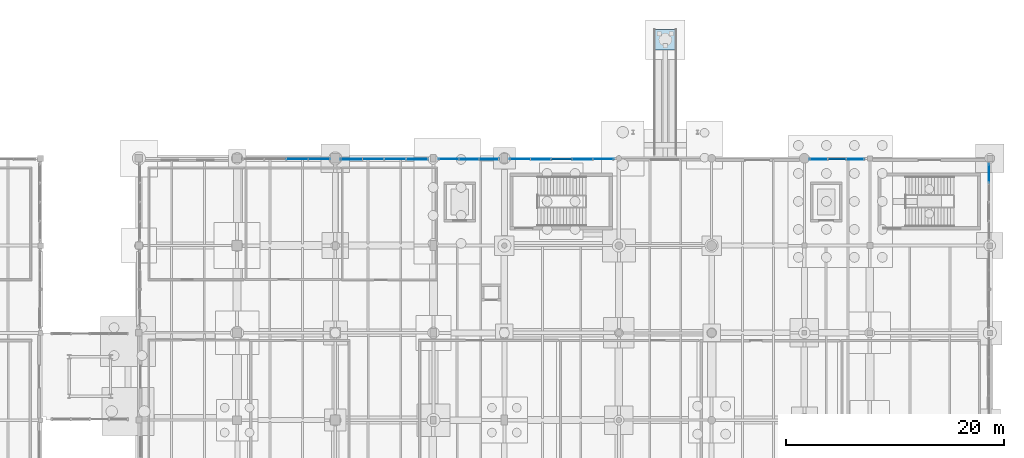
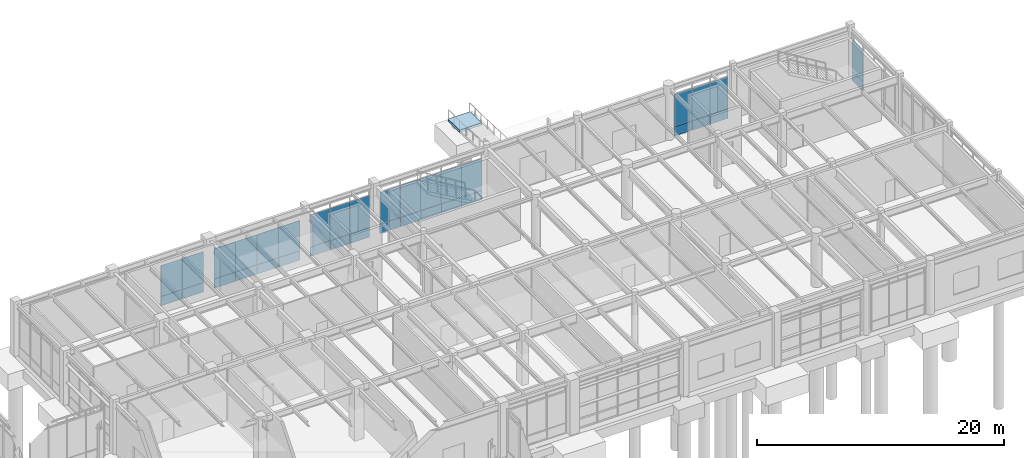
# One storey, part 163 of 203: 36 plates, 1 slab, 7 elements without a shape of their own.
"""IFC4 building model written with IfcOpenShell, lengths in metres."""

from ifc_helpers import new_model, si_unit, direction, frame, origin, origin_2d, place, context, subcontext, project, spatial, polyline, rectangle, outline, extrude, material, layer, layer_set, type_object, element, aggregate, save


model = new_model("IFC4")

# Units and contexts
model_context = context("Model", 3, precision=1e-05, world=origin(), true_north=direction((0.0, 1.0)))
body_context = subcontext(model_context, "Body", "Model", "MODEL_VIEW")
ifc_project = project(units=[si_unit("LENGTHUNIT", "METRE"), si_unit("AREAUNIT", "SQUARE_METRE"), si_unit("VOLUMEUNIT", "CUBIC_METRE"), si_unit("PLANEANGLEUNIT", "RADIAN"), si_unit("MASSUNIT", "GRAM", prefix="KILO"), si_unit("THERMODYNAMICTEMPERATUREUNIT", "KELVIN"), si_unit("POWERUNIT", "WATT")], contexts=[model_context])

# Site, building, storey
site_placement = place(None, origin())
site = spatial("IfcSite", under=ifc_project, at=site_placement, CompositionType="ELEMENT")
building_placement = place(site_placement, origin())
building = spatial("IfcBuilding", under=site, at=building_placement, Name="Tepalcoro Natatorium and Aquatics Centre", CompositionType="ELEMENT")
storey_placement = place(building_placement, origin())
storey = spatial("IfcBuildingStorey", under=building, at=storey_placement, Name="L00", CompositionType="ELEMENT", Elevation=0.0)

# Curtain wall, plates
ifc_material_1 = material(Name="Bronze-Anodised Extruded Aluminium Alloy EN AW-6063 T6", Category="aluminium")
curtain_wall_type_1 = type_object("IfcCurtainWallType", Name="CW_LEAN_T2_NS", PredefinedType="USERDEFINED", material=ifc_material_1)
curtain_wall_1_placement = place(storey_placement, origin())
curtain_wall_1 = element("IfcCurtainWall", 1, at=curtain_wall_1_placement, inside=storey, type_object=curtain_wall_type_1, Name="V5 L00 N Unitised Curtain Wall Bay 3", ObjectType="FACETED SOLAR GLAZING", PredefinedType="USERDEFINED")
ifc_material_2 = material(Name="Solar-Control Bronze Tempered Low-E Double Glazing", Category="glass")
ifc_layer_1 = layer(ifc_material_2, 0.048095703125)
ifc_layer_set_1 = layer_set([ifc_layer_1], Name="Solar-Control Bronze Tempered Low-E Double Glazing")
plate_type_1 = type_object("IfcPlateType", Name="PL_ACOUSTIC_IGU_48", PredefinedType="CURTAIN_PANEL", material=ifc_layer_set_1)
plate_1_placement = place(storey_placement, frame((117.485107421875, 117.923828125, 0.9599609375), z_axis=(0.0, 0.0, 1.0), x_axis=(1.0, 0.0, 0.0)))
plate_1 = element("IfcPlate", 2, at=plate_1_placement, type_object=plate_type_1, Name="CW_LEAN_T2_NS Insulated Glazing Unit", PredefinedType="CURTAIN_PANEL", context=body_context, shape_type="SweptSolid", body=[
    extrude(rectangle(XDim=1.989990234375, YDim=0.048095703125, at=origin_2d()), origin(), (0.0, 0.0, 1.0), 2.97802734375),
])
plate_2_placement = place(storey_placement, frame((123.514892578125, 117.923828125, 0.9599609375), z_axis=(0.0, 0.0, 1.0), x_axis=(1.0, 0.0, 0.0)))
plate_2 = element("IfcPlate", 3, at=plate_2_placement, type_object=plate_type_1, Name="CW_LEAN_T2_NS Insulated Glazing Unit", PredefinedType="CURTAIN_PANEL", context=body_context, shape_type="SweptSolid", body=[
    extrude(rectangle(XDim=1.989990234375, YDim=0.048095703125, at=origin_2d()), origin(), (0.0, 0.0, 1.0), 2.97802734375),
])

# Curtain wall, plate
curtain_wall_type_2 = type_object("IfcCurtainWallType", Name="CW_LEAN_T2_EW", PredefinedType="USERDEFINED", material=ifc_material_1)
curtain_wall_2_placement = place(storey_placement, origin())
curtain_wall_2 = element("IfcCurtainWall", 4, at=curtain_wall_2_placement, inside=storey, type_object=curtain_wall_type_2, Name="V5 L00 N Unitised Curtain Wall Bay 4", ObjectType="FACETED SOLAR GLAZING", PredefinedType="USERDEFINED")
plate_3_placement = place(storey_placement, frame((130.0966796875, 117.919921875, 0.9599609375), z_axis=(0.0, 0.0, 1.0), x_axis=(1.0, 0.0, 0.0)))
plate_3 = element("IfcPlate", 5, at=plate_3_placement, type_object=plate_type_1, Name="CW_LEAN_T2_EW Insulated Glazing Unit", PredefinedType="CURTAIN_PANEL", context=body_context, shape_type="SweptSolid", body=[
    extrude(rectangle(XDim=1.82666015625, YDim=0.048095703125, at=origin_2d()), origin(), (0.0, 0.0, 1.0), 3.177001953125),
])

# Curtain wall, plates
curtain_wall_type_3 = type_object("IfcCurtainWallType", Name="CW_V1_PLINTH", PredefinedType="USERDEFINED", material=ifc_material_1)
curtain_wall_3_placement = place(storey_placement, origin())
curtain_wall_3 = element("IfcCurtainWall", 6, at=curtain_wall_3_placement, inside=storey, type_object=curtain_wall_type_3, Name="V5 L00 N Unitised Curtain Wall Bay 5", ObjectType="UNITISED STOREFRONT", PredefinedType="USERDEFINED")
plate_4_placement = place(storey_placement, frame((134.842041015625, 117.923828125, 0.9599609375), z_axis=(0.0, 0.0, 1.0), x_axis=(1.0, 0.0, 0.0)))
plate_4 = element("IfcPlate", 7, at=plate_4_placement, type_object=plate_type_1, Name="CW_V1_PLINTH Insulated Glazing Unit", PredefinedType="CURTAIN_PANEL", context=body_context, shape_type="SweptSolid", body=[
    extrude(rectangle(XDim=1.887939453125, YDim=0.048095703125, at=origin_2d()), origin(), (0.0, 0.0, 1.0), 3.1298828125),
])
plate_5_placement = place(storey_placement, frame((140.56591796875, 117.923828125, 0.9599609375), z_axis=(0.0, 0.0, 1.0), x_axis=(1.0, 0.0, 0.0)))
plate_5 = element("IfcPlate", 8, at=plate_5_placement, type_object=plate_type_1, Name="CW_V1_PLINTH Insulated Glazing Unit", PredefinedType="CURTAIN_PANEL", context=body_context, shape_type="SweptSolid", body=[
    extrude(rectangle(XDim=1.887939453125, YDim=0.048095703125, at=origin_2d()), origin(), (0.0, 0.0, 1.0), 3.1298828125),
])

# Curtain wall, plate
curtain_wall_type_4 = type_object("IfcCurtainWallType", Name="CW_V4_VILLAGE", PredefinedType="USERDEFINED", material=ifc_material_1)
curtain_wall_4_placement = place(storey_placement, origin())
curtain_wall_4 = element("IfcCurtainWall", 9, at=curtain_wall_4_placement, inside=storey, type_object=curtain_wall_type_4, Name="V5 L00 N Unitised Curtain Wall Bay 8", ObjectType="UNITISED STOREFRONT", PredefinedType="USERDEFINED")
plate_6_placement = place(storey_placement, frame((160.320068359375, 117.923828125, 0.9599609375), z_axis=(0.0, 0.0, 1.0), x_axis=(1.0, 0.0, 0.0)))
plate_6 = element("IfcPlate", 10, at=plate_6_placement, type_object=plate_type_1, Name="CW_V4_VILLAGE Insulated Glazing Unit", PredefinedType="CURTAIN_PANEL", context=body_context, shape_type="SweptSolid", body=[
    extrude(rectangle(XDim=1.659912109375, YDim=0.048095703125, at=origin_2d()), origin(), (0.0, 0.0, 1.0), 3.177001953125),
])

curtain_wall_5_placement = place(storey_placement, origin())
curtain_wall_5 = element("IfcCurtainWall", 11, at=curtain_wall_5_placement, inside=storey, type_object=curtain_wall_type_3, Name="V5 L00 E Unitised Curtain Wall Bay 4", ObjectType="UNITISED STOREFRONT", PredefinedType="USERDEFINED")
plate_7_placement = place(storey_placement, frame((175.909912109375, 116.639892578125, 0.9599609375), z_axis=(0.0, 0.0, 1.0), x_axis=(1.0, 0.0, 0.0)))
plate_7 = element("IfcPlate", 12, at=plate_7_placement, type_object=plate_type_1, Name="CW_V1_PLINTH Insulated Glazing Unit", PredefinedType="CURTAIN_PANEL", context=body_context, shape_type="SweptSolid", body=[
    extrude(rectangle(XDim=0.048095703125, YDim=1.739990234375, at=origin_2d()), origin(), (0.0, 0.0, 1.0), 3.053955078125),
])

curtain_wall_type_5 = type_object("IfcCurtainWallType", Name="CW_LEAN_T1_EW", PredefinedType="USERDEFINED", material=ifc_material_1)
curtain_wall_6_placement = place(storey_placement, origin())
curtain_wall_6 = element("IfcCurtainWall", 13, at=curtain_wall_6_placement, inside=storey, type_object=curtain_wall_type_5, Name="V5 L00 N Unitised Curtain Wall Bay 2", ObjectType="FACETED SOLAR GLAZING", PredefinedType="USERDEFINED")
ifc_layer_2 = layer(ifc_material_2, 0.028076171875)
ifc_layer_set_2 = layer_set([ifc_layer_2], Name="Solar-Control Bronze Tempered Low-E Double Glazing")
plate_type_2 = type_object("IfcPlateType", Name="PL_BRONZE_IGU_28", PredefinedType="CURTAIN_PANEL", material=ifc_layer_set_2)
plate_8_placement = place(storey_placement, frame((114.514892578125, 117.9287109375, 0.9599609375), z_axis=(0.0, 0.0, 1.0), x_axis=(1.0, 0.0, 0.0)))
plate_8 = element("IfcPlate", 14, at=plate_8_placement, type_object=plate_type_2, Name="CW_LEAN_T1_EW Insulated Glazing Unit", PredefinedType="CURTAIN_PANEL", context=body_context, shape_type="SweptSolid", body=[
    extrude(rectangle(XDim=1.989990234375, YDim=0.028076171875, at=origin_2d()), origin(), (0.0, 0.0, 1.0), 3.053955078125),
])

# Plate
plate_9_placement = place(storey_placement, frame((121.5048828125, 117.923828125, 0.9599609375), z_axis=(0.0, 0.0, 1.0), x_axis=(1.0, 0.0, 0.0)))
plate_9 = element("IfcPlate", 15, at=plate_9_placement, type_object=plate_type_2, Name="CW_LEAN_T2_NS Insulated Glazing Unit", PredefinedType="CURTAIN_PANEL", context=body_context, shape_type="SweptSolid", body=[
    extrude(rectangle(XDim=1.989990234375, YDim=0.028076171875, at=origin_2d()), origin(), (0.0, 0.0, 1.0), 2.97802734375),
])

plate_10_placement = place(storey_placement, frame((128.25, 117.919921875, 0.9599609375), z_axis=(0.0, 0.0, 1.0), x_axis=(1.0, 0.0, 0.0)))
plate_10 = element("IfcPlate", 16, at=plate_10_placement, type_object=plate_type_2, Name="CW_LEAN_T2_EW Insulated Glazing Unit", PredefinedType="CURTAIN_PANEL", context=body_context, shape_type="SweptSolid", body=[
    extrude(rectangle(XDim=1.82666015625, YDim=0.028076171875, at=origin_2d()), origin(), (0.0, 0.0, 1.0), 3.177001953125),
])

plate_11_placement = place(storey_placement, frame((132.93408203125, 117.923828125, 0.9599609375), z_axis=(0.0, 0.0, 1.0), x_axis=(1.0, 0.0, 0.0)))
plate_11 = element("IfcPlate", 17, at=plate_11_placement, type_object=plate_type_2, Name="CW_V1_PLINTH Insulated Glazing Unit", PredefinedType="CURTAIN_PANEL", context=body_context, shape_type="SweptSolid", body=[
    extrude(rectangle(XDim=1.887939453125, YDim=0.028076171875, at=origin_2d()), origin(), (0.0, 0.0, 1.0), 3.1298828125),
])

plate_12_placement = place(storey_placement, frame((138.657958984375, 117.923828125, 0.9599609375), z_axis=(0.0, 0.0, 1.0), x_axis=(1.0, 0.0, 0.0)))
plate_12 = element("IfcPlate", 18, at=plate_12_placement, type_object=plate_type_2, Name="CW_V1_PLINTH Insulated Glazing Unit", PredefinedType="CURTAIN_PANEL", context=body_context, shape_type="SweptSolid", body=[
    extrude(rectangle(XDim=1.887939453125, YDim=0.028076171875, at=origin_2d()), origin(), (0.0, 0.0, 1.0), 3.1298828125),
])

plate_13_placement = place(storey_placement, frame((163.679931640625, 117.923828125, 0.9599609375), z_axis=(0.0, 0.0, 1.0), x_axis=(1.0, 0.0, 0.0)))
plate_13 = element("IfcPlate", 19, at=plate_13_placement, type_object=plate_type_2, Name="CW_V4_VILLAGE Insulated Glazing Unit", PredefinedType="CURTAIN_PANEL", context=body_context, shape_type="SweptSolid", body=[
    extrude(rectangle(XDim=1.659912109375, YDim=0.028076171875, at=origin_2d()), origin(), (0.0, 0.0, 1.0), 3.177001953125),
])

ifc_material_3 = material(Name="Jalisco Cantera Rosa Volcanic Tuff Ashlar Masonry", Category="masonry")
ifc_layer_3 = layer(ifc_material_3, 0.090087890625)
ifc_layer_set_3 = layer_set([ifc_layer_3], Name="Jalisco Cantera Rosa Volcanic Tuff Ashlar Masonry")
plate_type_3 = type_object("IfcPlateType", Name="PL_CANTERA_90", PredefinedType="SHEET", material=ifc_layer_set_3)
plate_14_placement = place(storey_placement, frame((123.514892578125, 117.923828125, 0.044921875), z_axis=(0.0, 0.0, 1.0), x_axis=(1.0, 0.0, 0.0)))
plate_14 = element("IfcPlate", 20, at=plate_14_placement, type_object=plate_type_3, Name="CW_LEAN_T2_NS Spandrel & Screen Panel", PredefinedType="SHEET", context=body_context, shape_type="SweptSolid", body=[
    extrude(rectangle(XDim=1.989990234375, YDim=0.090087890625, at=origin_2d()), origin(), (0.0, 0.0, 1.0), 0.909912109375),
])

plate_15_placement = place(storey_placement, frame((130.0966796875, 117.919921875, 0.044921875), z_axis=(0.0, 0.0, 1.0), x_axis=(1.0, 0.0, 0.0)))
plate_15 = element("IfcPlate", 21, at=plate_15_placement, type_object=plate_type_3, Name="CW_LEAN_T2_EW Spandrel & Screen Panel", PredefinedType="SHEET", context=body_context, shape_type="SweptSolid", body=[
    extrude(rectangle(XDim=1.82666015625, YDim=0.090087890625, at=origin_2d()), origin(), (0.0, 0.0, 1.0), 0.909912109375),
])

plate_16_placement = place(storey_placement, frame((134.842041015625, 117.923828125, 0.044921875), z_axis=(0.0, 0.0, 1.0), x_axis=(1.0, 0.0, 0.0)))
plate_16 = element("IfcPlate", 22, at=plate_16_placement, type_object=plate_type_3, Name="CW_V1_PLINTH Spandrel & Screen Panel", PredefinedType="SHEET", context=body_context, shape_type="SweptSolid", body=[
    extrude(rectangle(XDim=1.887939453125, YDim=0.090087890625, at=origin_2d()), origin(), (0.0, 0.0, 1.0), 0.909912109375),
])

plate_17_placement = place(storey_placement, frame((160.320068359375, 117.923828125, 0.044921875), z_axis=(0.0, 0.0, 1.0), x_axis=(1.0, 0.0, 0.0)))
plate_17 = element("IfcPlate", 23, at=plate_17_placement, type_object=plate_type_3, Name="CW_V4_VILLAGE Spandrel & Screen Panel", PredefinedType="SHEET", context=body_context, shape_type="SweptSolid", body=[
    extrude(rectangle(XDim=1.659912109375, YDim=0.090087890625, at=origin_2d()), origin(), (0.0, 0.0, 1.0), 0.909912109375),
])

ifc_material_4 = material(Name="Clear Tempered Low-E Safety Glazing", Category="glass")
ifc_layer_4 = layer(ifc_material_4, 0.011962890625)
ifc_layer_set_4 = layer_set([ifc_layer_4], Name="Clear Tempered Low-E Safety Glazing")
plate_type_4 = type_object("IfcPlateType", Name="PL_GLASS_12", PredefinedType="CURTAIN_PANEL", material=ifc_layer_set_4)
plate_18_placement = place(storey_placement, frame((112.5048828125, 117.9287109375, 0.9599609375), z_axis=(0.0, 0.0, 1.0), x_axis=(1.0, 0.0, 0.0)))
plate_18 = element("IfcPlate", 24, at=plate_18_placement, type_object=plate_type_4, Name="CW_LEAN_T1_EW Insulated Glazing Unit", PredefinedType="CURTAIN_PANEL", context=body_context, shape_type="SweptSolid", body=[
    extrude(rectangle(XDim=1.989990234375, YDim=0.011962890625, at=origin_2d()), origin(), (0.0, 0.0, 1.0), 3.053955078125),
])

plate_19_placement = place(storey_placement, frame((119.4951171875, 117.923828125, 0.9599609375), z_axis=(0.0, 0.0, 1.0), x_axis=(1.0, 0.0, 0.0)))
plate_19 = element("IfcPlate", 25, at=plate_19_placement, type_object=plate_type_4, Name="CW_LEAN_T2_NS Insulated Glazing Unit", PredefinedType="CURTAIN_PANEL", context=body_context, shape_type="SweptSolid", body=[
    extrude(rectangle(XDim=1.989990234375, YDim=0.011962890625, at=origin_2d()), origin(), (0.0, 0.0, 1.0), 2.97802734375),
])

plate_20_placement = place(storey_placement, frame((126.4033203125, 117.919921875, 0.9599609375), z_axis=(0.0, 0.0, 1.0), x_axis=(1.0, 0.0, 0.0)))
plate_20 = element("IfcPlate", 26, at=plate_20_placement, type_object=plate_type_4, Name="CW_LEAN_T2_EW Insulated Glazing Unit", PredefinedType="CURTAIN_PANEL", context=body_context, shape_type="SweptSolid", body=[
    extrude(rectangle(XDim=1.82666015625, YDim=0.011962890625, at=origin_2d()), origin(), (0.0, 0.0, 1.0), 3.177001953125),
])

plate_21_placement = place(storey_placement, frame((136.75, 117.923828125, 0.9599609375), z_axis=(0.0, 0.0, 1.0), x_axis=(1.0, 0.0, 0.0)))
plate_21 = element("IfcPlate", 27, at=plate_21_placement, type_object=plate_type_4, Name="CW_V1_PLINTH Insulated Glazing Unit", PredefinedType="CURTAIN_PANEL", context=body_context, shape_type="SweptSolid", body=[
    extrude(rectangle(XDim=1.887939453125, YDim=0.011962890625, at=origin_2d()), origin(), (0.0, 0.0, 1.0), 3.1298828125),
])

plate_22_placement = place(storey_placement, frame((162.0, 117.923828125, 0.9599609375), z_axis=(0.0, 0.0, 1.0), x_axis=(1.0, 0.0, 0.0)))
plate_22 = element("IfcPlate", 28, at=plate_22_placement, type_object=plate_type_4, Name="CW_V4_VILLAGE Insulated Glazing Unit", PredefinedType="CURTAIN_PANEL", context=body_context, shape_type="SweptSolid", body=[
    extrude(rectangle(XDim=1.659912109375, YDim=0.011962890625, at=origin_2d()), origin(), (0.0, 0.0, 1.0), 3.177001953125),
])

ifc_material_5 = material(Name="Volcanic Recinto Basalt Ashlar Masonry", Category="masonry")
ifc_layer_5 = layer(ifc_material_5, 0.110107421875)
ifc_layer_set_5 = layer_set([ifc_layer_5], Name="Volcanic Recinto Basalt Ashlar Masonry")
plate_type_5 = type_object("IfcPlateType", Name="PL_RECINTO_110", PredefinedType="SHEET", material=ifc_layer_set_5)
plate_23_placement = place(storey_placement, frame((136.75, 117.923828125, 0.044921875), z_axis=(0.0, 0.0, 1.0), x_axis=(1.0, 0.0, 0.0)))
plate_23 = element("IfcPlate", 29, at=plate_23_placement, type_object=plate_type_5, Name="CW_V1_PLINTH Spandrel & Screen Panel", PredefinedType="SHEET", context=body_context, shape_type="SweptSolid", body=[
    extrude(rectangle(XDim=1.887939453125, YDim=0.110107421875, at=origin_2d()), origin(), (0.0, 0.0, 1.0), 0.909912109375),
])

plate_24_placement = place(storey_placement, frame((162.0, 117.923828125, 0.044921875), z_axis=(0.0, 0.0, 1.0), x_axis=(1.0, 0.0, 0.0)))
plate_24 = element("IfcPlate", 30, at=plate_24_placement, type_object=plate_type_5, Name="CW_V4_VILLAGE Spandrel & Screen Panel", PredefinedType="SHEET", context=body_context, shape_type="SweptSolid", body=[
    extrude(rectangle(XDim=1.659912109375, YDim=0.110107421875, at=origin_2d()), origin(), (0.0, 0.0, 1.0), 0.909912109375),
])

ifc_layer_6 = layer(ifc_material_1, 0.050048828125)
ifc_layer_set_6 = layer_set([ifc_layer_6], Name="Bronze-Anodised Extruded Aluminium Alloy EN AW-6063 T6")
plate_type_6 = type_object("IfcPlateType", Name="PL_SCREEN_50", PredefinedType="SHEET", material=ifc_layer_set_6)
plate_25_placement = place(storey_placement, frame((112.5048828125, 117.9287109375, 0.044921875), z_axis=(0.0, 0.0, 1.0), x_axis=(1.0, 0.0, 0.0)))
plate_25 = element("IfcPlate", 31, at=plate_25_placement, type_object=plate_type_6, Name="CW_LEAN_T1_EW Spandrel & Screen Panel", PredefinedType="SHEET", context=body_context, shape_type="SweptSolid", body=[
    extrude(rectangle(XDim=1.989990234375, YDim=0.050048828125, at=origin_2d()), origin(), (0.0, 0.0, 1.0), 0.909912109375),
])

plate_26_placement = place(storey_placement, frame((119.4951171875, 117.923828125, 0.044921875), z_axis=(0.0, 0.0, 1.0), x_axis=(1.0, 0.0, 0.0)))
plate_26 = element("IfcPlate", 32, at=plate_26_placement, type_object=plate_type_6, Name="CW_LEAN_T2_NS Spandrel & Screen Panel", PredefinedType="SHEET", context=body_context, shape_type="SweptSolid", body=[
    extrude(rectangle(XDim=1.989990234375, YDim=0.050048828125, at=origin_2d()), origin(), (0.0, 0.0, 1.0), 0.909912109375),
])

plate_27_placement = place(storey_placement, frame((126.4033203125, 117.919921875, 0.044921875), z_axis=(0.0, 0.0, 1.0), x_axis=(1.0, 0.0, 0.0)))
plate_27 = element("IfcPlate", 33, at=plate_27_placement, type_object=plate_type_6, Name="CW_LEAN_T2_EW Spandrel & Screen Panel", PredefinedType="SHEET", context=body_context, shape_type="SweptSolid", body=[
    extrude(rectangle(XDim=1.82666015625, YDim=0.050048828125, at=origin_2d()), origin(), (0.0, 0.0, 1.0), 0.909912109375),
])

plate_28_placement = place(storey_placement, frame((140.56591796875, 117.923828125, 0.044921875), z_axis=(0.0, 0.0, 1.0), x_axis=(1.0, 0.0, 0.0)))
plate_28 = element("IfcPlate", 34, at=plate_28_placement, type_object=plate_type_6, Name="CW_V1_PLINTH Spandrel & Screen Panel", PredefinedType="SHEET", context=body_context, shape_type="SweptSolid", body=[
    extrude(rectangle(XDim=1.887939453125, YDim=0.050048828125, at=origin_2d()), origin(), (0.0, 0.0, 1.0), 0.909912109375),
])

ifc_layer_7 = layer(ifc_material_1, 0.06005859375)
ifc_layer_set_7 = layer_set([ifc_layer_7], Name="Bronze-Anodised Extruded Aluminium Alloy EN AW-6063 T6")
plate_type_7 = type_object("IfcPlateType", Name="PL_SCREEN_60", PredefinedType="SHEET", material=ifc_layer_set_7)
plate_29_placement = place(storey_placement, frame((114.514892578125, 117.9287109375, 0.044921875), z_axis=(0.0, 0.0, 1.0), x_axis=(1.0, 0.0, 0.0)))
plate_29 = element("IfcPlate", 35, at=plate_29_placement, type_object=plate_type_7, Name="CW_LEAN_T1_EW Spandrel & Screen Panel", PredefinedType="SHEET", context=body_context, shape_type="SweptSolid", body=[
    extrude(rectangle(XDim=1.989990234375, YDim=0.06005859375, at=origin_2d()), origin(), (0.0, 0.0, 1.0), 0.909912109375),
])

aggregate(curtain_wall_6, [plate_18, plate_25, plate_8, plate_29])

plate_30_placement = place(storey_placement, frame((121.5048828125, 117.923828125, 0.044921875), z_axis=(0.0, 0.0, 1.0), x_axis=(1.0, 0.0, 0.0)))
plate_30 = element("IfcPlate", 36, at=plate_30_placement, type_object=plate_type_7, Name="CW_LEAN_T2_NS Spandrel & Screen Panel", PredefinedType="SHEET", context=body_context, shape_type="SweptSolid", body=[
    extrude(rectangle(XDim=1.989990234375, YDim=0.06005859375, at=origin_2d()), origin(), (0.0, 0.0, 1.0), 0.909912109375),
])

plate_31_placement = place(storey_placement, frame((128.25, 117.919921875, 0.044921875), z_axis=(0.0, 0.0, 1.0), x_axis=(1.0, 0.0, 0.0)))
plate_31 = element("IfcPlate", 37, at=plate_31_placement, type_object=plate_type_7, Name="CW_LEAN_T2_EW Spandrel & Screen Panel", PredefinedType="SHEET", context=body_context, shape_type="SweptSolid", body=[
    extrude(rectangle(XDim=1.82666015625, YDim=0.06005859375, at=origin_2d()), origin(), (0.0, 0.0, 1.0), 0.909912109375),
])

aggregate(curtain_wall_2, [plate_20, plate_27, plate_10, plate_31, plate_3, plate_15])

plate_32_placement = place(storey_placement, frame((132.93408203125, 117.923828125, 0.044921875), z_axis=(0.0, 0.0, 1.0), x_axis=(1.0, 0.0, 0.0)))
plate_32 = element("IfcPlate", 38, at=plate_32_placement, type_object=plate_type_7, Name="CW_V1_PLINTH Spandrel & Screen Panel", PredefinedType="SHEET", context=body_context, shape_type="SweptSolid", body=[
    extrude(rectangle(XDim=1.887939453125, YDim=0.06005859375, at=origin_2d()), origin(), (0.0, 0.0, 1.0), 0.909912109375),
])

plate_33_placement = place(storey_placement, frame((175.909912109375, 116.639892578125, 0.044921875), z_axis=(0.0, 0.0, 1.0), x_axis=(1.0, 0.0, 0.0)))
plate_33 = element("IfcPlate", 39, at=plate_33_placement, type_object=plate_type_7, Name="CW_V1_PLINTH Spandrel & Screen Panel", PredefinedType="SHEET", context=body_context, shape_type="SweptSolid", body=[
    extrude(rectangle(XDim=0.06005859375, YDim=1.739990234375, at=origin_2d()), origin(), (0.0, 0.0, 1.0), 0.909912109375),
])

aggregate(curtain_wall_5, [plate_7, plate_33])

ifc_material_6 = material(Name="Insulated Bronze Anodised Aluminium Spandrel Panel", Category="aluminium")
ifc_layer_8 = layer(ifc_material_6, 0.070068359375)
ifc_layer_set_8 = layer_set([ifc_layer_8], Name="Insulated Bronze Anodised Aluminium Spandrel Panel")
plate_type_8 = type_object("IfcPlateType", Name="PL_SPANDREL_70", PredefinedType="CURTAIN_PANEL", material=ifc_layer_set_8)
plate_34_placement = place(storey_placement, frame((117.485107421875, 117.923828125, 0.044921875), z_axis=(0.0, 0.0, 1.0), x_axis=(1.0, 0.0, 0.0)))
plate_34 = element("IfcPlate", 40, at=plate_34_placement, type_object=plate_type_8, Name="CW_LEAN_T2_NS Spandrel & Screen Panel", PredefinedType="CURTAIN_PANEL", context=body_context, shape_type="SweptSolid", body=[
    extrude(rectangle(XDim=1.989990234375, YDim=0.070068359375, at=origin_2d()), origin(), (0.0, 0.0, 1.0), 0.909912109375),
])

aggregate(curtain_wall_1, [plate_1, plate_34, plate_19, plate_26, plate_9, plate_30, plate_2, plate_14])

plate_35_placement = place(storey_placement, frame((138.657958984375, 117.923828125, 0.044921875), z_axis=(0.0, 0.0, 1.0), x_axis=(1.0, 0.0, 0.0)))
plate_35 = element("IfcPlate", 41, at=plate_35_placement, type_object=plate_type_8, Name="CW_V1_PLINTH Spandrel & Screen Panel", PredefinedType="CURTAIN_PANEL", context=body_context, shape_type="SweptSolid", body=[
    extrude(rectangle(XDim=1.887939453125, YDim=0.070068359375, at=origin_2d()), origin(), (0.0, 0.0, 1.0), 0.909912109375),
])

aggregate(curtain_wall_3, [plate_11, plate_32, plate_4, plate_16, plate_21, plate_23, plate_12, plate_35, plate_5, plate_28])

plate_36_placement = place(storey_placement, frame((163.679931640625, 117.923828125, 0.044921875), z_axis=(0.0, 0.0, 1.0), x_axis=(1.0, 0.0, 0.0)))
plate_36 = element("IfcPlate", 42, at=plate_36_placement, type_object=plate_type_8, Name="CW_V4_VILLAGE Spandrel & Screen Panel", PredefinedType="CURTAIN_PANEL", context=body_context, shape_type="SweptSolid", body=[
    extrude(rectangle(XDim=1.659912109375, YDim=0.070068359375, at=origin_2d()), origin(), (0.0, 0.0, 1.0), 0.909912109375),
])

aggregate(curtain_wall_4, [plate_6, plate_17, plate_22, plate_24, plate_13, plate_36])

# Ramp, slab
ifc_material_7 = material(Name="Concrete C35/45 (fc 35 MPa)", Category="concrete")
ramp_type = type_object("IfcRampType", Name="RP_PED_2100", PredefinedType="STRAIGHT_RUN_RAMP", material=ifc_material_7)
ramp_placement = place(storey_placement, origin())
ramp = element("IfcRamp", 43, at=ramp_placement, inside=storey, type_object=ramp_type, Name="V5 North Athlete Clinic Accessible Ramp", PredefinedType="STRAIGHT_RUN_RAMP")
ifc_layer_9 = layer(ifc_material_7, 0.199951171875)
ifc_layer_set_9 = layer_set([ifc_layer_9], Name="Concrete C35/45 (fc 35 MPa)")
slab_type = type_object("IfcSlabType", Name="SL_LANDING_200", PredefinedType="LANDING", material=ifc_layer_set_9)
slab_placement = place(storey_placement, frame((0.0, 0.0, -0.699951171875)))
slab = element("IfcSlab", 44, at=slab_placement, type_object=slab_type, Name="V5 North Athlete Clinic Accessible Ramp Bottom Level Landing", PredefinedType="LANDING", context=body_context, shape_type="SweptSolid", body=[
    extrude(outline(polyline([(145.199951171875, 129.800048828125), (145.199951171875, 127.93994140625), (147.300048828125, 127.93994140625), (147.300048828125, 129.800048828125), (145.199951171875, 129.800048828125)])), origin(), (0.0, 0.0, 1.0), 0.219970703125),
])
aggregate(ramp, [slab])

save(model, "model.ifc")
